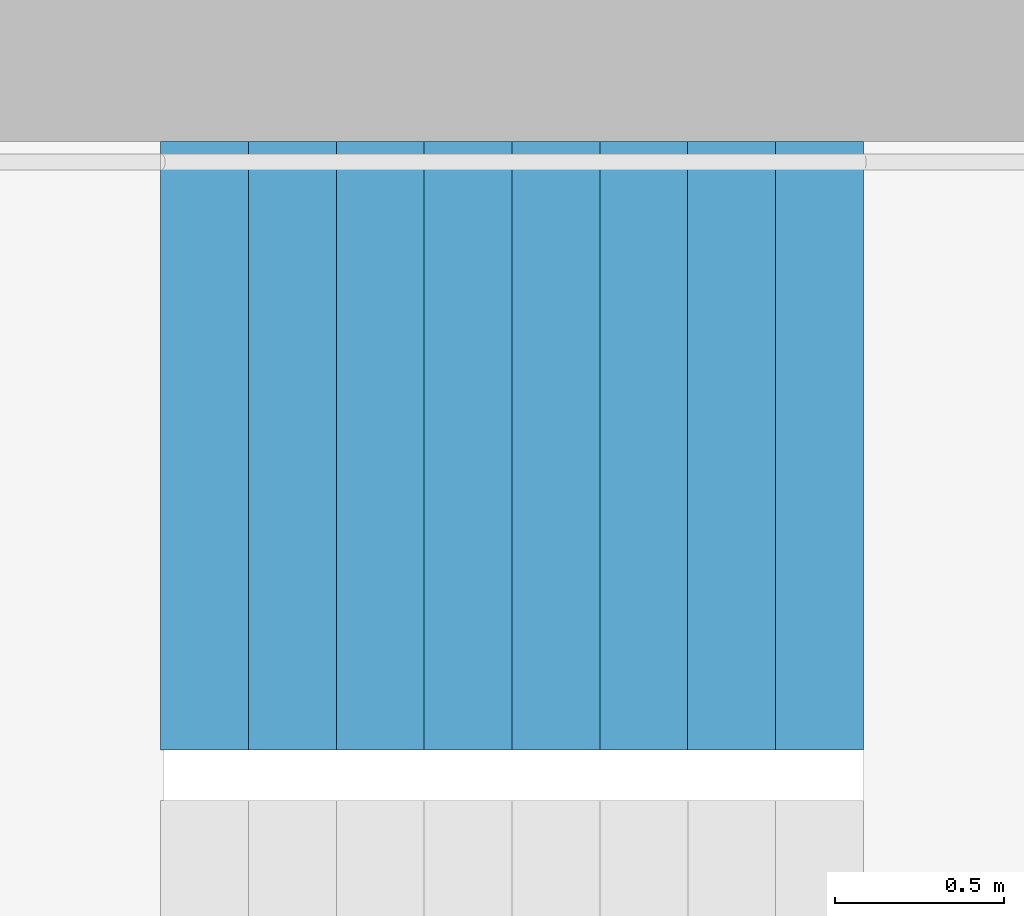
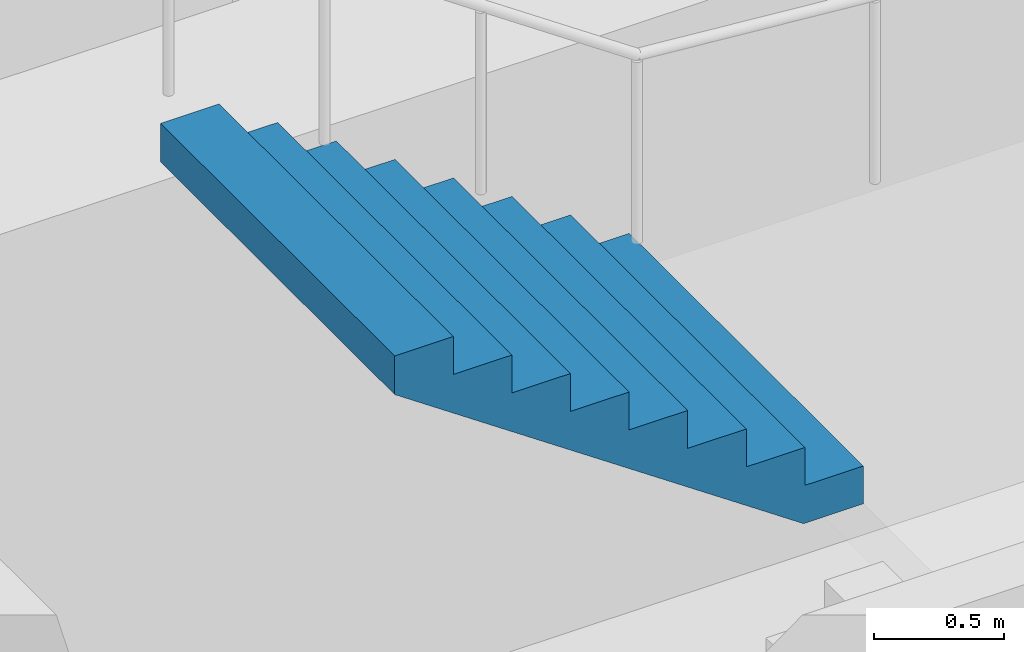
# One storey, part 21 of 26: 1 stair flight, 1 element without a shape of its own.
"""IFC4 building model written with IfcOpenShell, lengths in metres."""

from ifc_helpers import new_model, si_unit, direction, frame, origin, place, context, subcontext, project, spatial, triangles, material, type_object, element, aggregate, save


model = new_model("IFC4")

# Units and contexts
model_context = context("Model", 3, precision=1e-05, world=origin(), true_north=direction((0.0, 1.0)))
body_context = subcontext(model_context, "Body", "Model", "MODEL_VIEW")
ifc_project = project(units=[si_unit("LENGTHUNIT", "METRE"), si_unit("AREAUNIT", "SQUARE_METRE"), si_unit("VOLUMEUNIT", "CUBIC_METRE"), si_unit("PLANEANGLEUNIT", "RADIAN"), si_unit("MASSUNIT", "GRAM", prefix="KILO")], contexts=[model_context])

# Site, building, storey
site_placement = place(None, origin())
site = spatial("IfcSite", under=ifc_project, at=site_placement, CompositionType="ELEMENT")
building_placement = place(site_placement, origin())
building = spatial("IfcBuilding", under=site, at=building_placement, Name="Hakoniwa Tower and Hamabe Station Hall", CompositionType="ELEMENT")
storey_placement = place(building_placement, frame((0.0, 0.0, 153.39990234375)))
storey = spatial("IfcBuildingStorey", under=building, at=storey_placement, Name="L43", CompositionType="ELEMENT", Elevation=153.39990234375)

# Stair, stair flight
ifc_material_1 = material(Name="Concrete C40", Category="concrete")
stair_type = type_object("IfcStairType", Name="ESCAPE STAIR 1800", PredefinedType="HALF_TURN_STAIR", material=ifc_material_1)
stair_placement = place(storey_placement, origin())
stair = element("IfcStair", 1, at=stair_placement, inside=storey, type_object=stair_type, Name="Escape stair ST-1 L43", PredefinedType="HALF_TURN_STAIR")
ifc_material_2 = material(Name="Concrete C40", Category="concrete")
stair_flight_type = type_object("IfcStairFlightType", Name="STAIR FLIGHT 1800", PredefinedType="STRAIGHT", material=ifc_material_2)
stair_flight_placement = place(storey_placement, frame((-22.320068359375, 6.60009765625, 1.60009765625), z_axis=(0.0, 0.0, 1.0), x_axis=(-1.0, 0.0, 0.0)))
stair_flight = element("IfcStairFlight", 2, at=stair_flight_placement, type_object=stair_flight_type, Name="ST-1 flight 2", NumberOfRisers=9, NumberOfTreads=8, PredefinedType="STRAIGHT", RiserHeight=0.177777778, TreadLength=0.26, context=body_context, shape_type="Tessellation", body=[
    triangles([(0.0, 0.89990234375, 0.0), (0.260009765625, 0.89990234375, 0.0), (0.265625, 0.89990234375, 0.0), (0.52001953125, 0.89990234375, 0.174072265625), (0.780029296875, 0.89990234375, 0.351806640625), (1.0400390625, 0.89990234375, 0.529541015625), (1.300048828125, 0.89990234375, 0.707275390625), (1.56005859375, 0.89990234375, 0.885009765625), (1.820068359375, 0.89990234375, 1.062744140625), (2.080078125, 0.89990234375, 1.24072265625), (2.080078125, 0.89990234375, 1.422119140625), (1.820068359375, 0.89990234375, 1.422119140625), (1.820068359375, 0.89990234375, 1.244384765625), (1.56005859375, 0.89990234375, 1.244384765625), (1.56005859375, 0.89990234375, 1.066650390625), (1.300048828125, 0.89990234375, 1.066650390625), (1.300048828125, 0.89990234375, 0.888916015625), (1.0400390625, 0.89990234375, 0.888916015625), (1.0400390625, 0.89990234375, 0.711181640625), (0.780029296875, 0.89990234375, 0.711181640625), (0.780029296875, 0.89990234375, 0.533447265625), (0.52001953125, 0.89990234375, 0.533447265625), (0.52001953125, 0.89990234375, 0.35546875), (0.265625, 0.89990234375, 0.35546875), (0.260009765625, 0.89990234375, 0.35546875), (0.260009765625, 0.89990234375, 0.177734375), (0.0, 0.89990234375, 0.177734375), (0.0, 0.06005859375, 0.0), (0.260009765625, 0.06005859375, 0.0), (0.265625, 0.06005859375, 0.0), (0.52001953125, 0.06005859375, 0.174072265625), (0.780029296875, 0.06005859375, 0.351806640625), (1.0400390625, 0.06005859375, 0.529541015625), (1.300048828125, 0.06005859375, 0.707275390625), (1.56005859375, 0.06005859375, 0.885009765625), (1.820068359375, 0.06005859375, 1.062744140625), (2.080078125, 0.06005859375, 1.24072265625), (2.080078125, 0.06005859375, 1.422119140625), (1.820068359375, 0.06005859375, 1.422119140625), (1.820068359375, 0.06005859375, 1.244384765625), (1.56005859375, 0.06005859375, 1.244384765625), (1.56005859375, 0.06005859375, 1.066650390625), (1.300048828125, 0.06005859375, 1.066650390625), (1.300048828125, 0.06005859375, 0.888916015625), (1.0400390625, 0.06005859375, 0.888916015625), (1.0400390625, 0.06005859375, 0.711181640625), (0.780029296875, 0.06005859375, 0.711181640625), (0.780029296875, 0.06005859375, 0.533447265625), (0.52001953125, 0.06005859375, 0.533447265625), (0.52001953125, 0.06005859375, 0.35546875), (0.265625, 0.06005859375, 0.35546875), (0.260009765625, 0.06005859375, 0.35546875), (0.260009765625, 0.06005859375, 0.177734375), (0.0, 0.06005859375, 0.177734375), (0.0, 0.04296875, 0.0), (0.260009765625, 0.04296875, 0.0), (0.265625, 0.04296875, 0.0), (0.52001953125, 0.04296875, 0.174072265625), (0.780029296875, 0.04296875, 0.351806640625), (1.0400390625, 0.04296875, 0.529541015625), (1.300048828125, 0.04296875, 0.707275390625), (1.56005859375, 0.04296875, 0.885009765625), (1.820068359375, 0.04296875, 1.062744140625), (2.080078125, 0.04296875, 1.24072265625), (2.080078125, 0.04296875, 1.422119140625), (1.820068359375, 0.04296875, 1.422119140625), (1.820068359375, 0.04296875, 1.244384765625), (1.56005859375, 0.04296875, 1.244384765625), (1.56005859375, 0.04296875, 1.066650390625), (1.300048828125, 0.04296875, 1.066650390625), (1.300048828125, 0.04296875, 0.888916015625), (1.0400390625, 0.04296875, 0.888916015625), (1.0400390625, 0.04296875, 0.711181640625), (0.780029296875, 0.04296875, 0.711181640625), (0.780029296875, 0.04296875, 0.533447265625), (0.52001953125, 0.04296875, 0.533447265625), (0.52001953125, 0.04296875, 0.35546875), (0.265625, 0.04296875, 0.35546875), (0.260009765625, 0.04296875, 0.35546875), (0.260009765625, 0.04296875, 0.177734375), (0.0, 0.04296875, 0.177734375), (0.0, 0.025634765625, 0.0), (0.260009765625, 0.025634765625, 0.0), (0.265625, 0.025634765625, 0.0), (0.52001953125, 0.025634765625, 0.174072265625), (0.780029296875, 0.025634765625, 0.351806640625), (1.0400390625, 0.025634765625, 0.529541015625), (1.300048828125, 0.025634765625, 0.707275390625), (1.56005859375, 0.025634765625, 0.885009765625), (1.820068359375, 0.025634765625, 1.062744140625), (2.080078125, 0.025634765625, 1.24072265625), (2.080078125, 0.025634765625, 1.422119140625), (1.820068359375, 0.025634765625, 1.422119140625), (1.820068359375, 0.025634765625, 1.244384765625), (1.56005859375, 0.025634765625, 1.244384765625), (1.56005859375, 0.025634765625, 1.066650390625), (1.300048828125, 0.025634765625, 1.066650390625), (1.300048828125, 0.025634765625, 0.888916015625), (1.0400390625, 0.025634765625, 0.888916015625), (1.0400390625, 0.025634765625, 0.711181640625), (0.780029296875, 0.025634765625, 0.711181640625), (0.780029296875, 0.025634765625, 0.533447265625), (0.52001953125, 0.025634765625, 0.533447265625), (0.52001953125, 0.025634765625, 0.35546875), (0.265625, 0.025634765625, 0.35546875), (0.260009765625, 0.025634765625, 0.35546875), (0.260009765625, 0.025634765625, 0.177734375), (0.0, 0.025634765625, 0.177734375), (0.0, 0.008544921875, 0.0), (0.260009765625, 0.008544921875, 0.0), (0.265625, 0.008544921875, 0.0), (0.52001953125, 0.008544921875, 0.174072265625), (0.780029296875, 0.008544921875, 0.351806640625), (1.0400390625, 0.008544921875, 0.529541015625), (1.300048828125, 0.008544921875, 0.707275390625), (1.56005859375, 0.008544921875, 0.885009765625), (1.820068359375, 0.008544921875, 1.062744140625), (2.080078125, 0.008544921875, 1.24072265625), (2.080078125, 0.008544921875, 1.422119140625), (1.820068359375, 0.008544921875, 1.422119140625), (1.820068359375, 0.008544921875, 1.244384765625), (1.56005859375, 0.008544921875, 1.244384765625), (1.56005859375, 0.008544921875, 1.066650390625), (1.300048828125, 0.008544921875, 1.066650390625), (1.300048828125, 0.008544921875, 0.888916015625), (1.0400390625, 0.008544921875, 0.888916015625), (1.0400390625, 0.008544921875, 0.711181640625), (0.780029296875, 0.008544921875, 0.711181640625), (0.780029296875, 0.008544921875, 0.533447265625), (0.52001953125, 0.008544921875, 0.533447265625), (0.52001953125, 0.008544921875, 0.35546875), (0.265625, 0.008544921875, 0.35546875), (0.260009765625, 0.008544921875, 0.35546875), (0.260009765625, 0.008544921875, 0.177734375), (0.0, 0.008544921875, 0.177734375), (0.0, -0.008544921875, 0.0), (0.260009765625, -0.008544921875, 0.0), (0.265625, -0.008544921875, 0.0), (0.52001953125, -0.008544921875, 0.174072265625), (0.780029296875, -0.008544921875, 0.351806640625), (1.0400390625, -0.008544921875, 0.529541015625), (1.300048828125, -0.008544921875, 0.707275390625), (1.56005859375, -0.008544921875, 0.885009765625), (1.820068359375, -0.008544921875, 1.062744140625), (2.080078125, -0.008544921875, 1.24072265625), (2.080078125, -0.008544921875, 1.422119140625), (1.820068359375, -0.008544921875, 1.422119140625), (1.820068359375, -0.008544921875, 1.244384765625), (1.56005859375, -0.008544921875, 1.244384765625), (1.56005859375, -0.008544921875, 1.066650390625), (1.300048828125, -0.008544921875, 1.066650390625), (1.300048828125, -0.008544921875, 0.888916015625), (1.0400390625, -0.008544921875, 0.888916015625), (1.0400390625, -0.008544921875, 0.711181640625), (0.780029296875, -0.008544921875, 0.711181640625), (0.780029296875, -0.008544921875, 0.533447265625), (0.52001953125, -0.008544921875, 0.533447265625), (0.52001953125, -0.008544921875, 0.35546875), (0.265625, -0.008544921875, 0.35546875), (0.260009765625, -0.008544921875, 0.35546875), (0.260009765625, -0.008544921875, 0.177734375), (0.0, -0.008544921875, 0.177734375), (0.0, -0.025634765625, 0.0), (0.260009765625, -0.025634765625, 0.0), (0.265625, -0.025634765625, 0.0), (0.52001953125, -0.025634765625, 0.174072265625), (0.780029296875, -0.025634765625, 0.351806640625), (1.0400390625, -0.025634765625, 0.529541015625), (1.300048828125, -0.025634765625, 0.707275390625), (1.56005859375, -0.025634765625, 0.885009765625), (1.820068359375, -0.025634765625, 1.062744140625), (2.080078125, -0.025634765625, 1.24072265625), (2.080078125, -0.025634765625, 1.422119140625), (1.820068359375, -0.025634765625, 1.422119140625), (1.820068359375, -0.025634765625, 1.244384765625), (1.56005859375, -0.025634765625, 1.244384765625), (1.56005859375, -0.025634765625, 1.066650390625), (1.300048828125, -0.025634765625, 1.066650390625), (1.300048828125, -0.025634765625, 0.888916015625), (1.0400390625, -0.025634765625, 0.888916015625), (1.0400390625, -0.025634765625, 0.711181640625), (0.780029296875, -0.025634765625, 0.711181640625), (0.780029296875, -0.025634765625, 0.533447265625), (0.52001953125, -0.025634765625, 0.533447265625), (0.52001953125, -0.025634765625, 0.35546875), (0.265625, -0.025634765625, 0.35546875), (0.260009765625, -0.025634765625, 0.35546875), (0.260009765625, -0.025634765625, 0.177734375), (0.0, -0.025634765625, 0.177734375), (0.0, -0.04296875, 0.0), (0.260009765625, -0.04296875, 0.0), (0.265625, -0.04296875, 0.0), (0.52001953125, -0.04296875, 0.174072265625), (0.780029296875, -0.04296875, 0.351806640625), (1.0400390625, -0.04296875, 0.529541015625), (1.300048828125, -0.04296875, 0.707275390625), (1.56005859375, -0.04296875, 0.885009765625), (1.820068359375, -0.04296875, 1.062744140625), (2.080078125, -0.04296875, 1.24072265625), (2.080078125, -0.04296875, 1.422119140625), (1.820068359375, -0.04296875, 1.422119140625), (1.820068359375, -0.04296875, 1.244384765625), (1.56005859375, -0.04296875, 1.244384765625), (1.56005859375, -0.04296875, 1.066650390625), (1.300048828125, -0.04296875, 1.066650390625), (1.300048828125, -0.04296875, 0.888916015625), (1.0400390625, -0.04296875, 0.888916015625), (1.0400390625, -0.04296875, 0.711181640625), (0.780029296875, -0.04296875, 0.711181640625), (0.780029296875, -0.04296875, 0.533447265625), (0.52001953125, -0.04296875, 0.533447265625), (0.52001953125, -0.04296875, 0.35546875), (0.265625, -0.04296875, 0.35546875), (0.260009765625, -0.04296875, 0.35546875), (0.260009765625, -0.04296875, 0.177734375), (0.0, -0.04296875, 0.177734375), (0.0, -0.06005859375, 0.0), (0.260009765625, -0.06005859375, 0.0), (0.265625, -0.06005859375, 0.0), (0.52001953125, -0.06005859375, 0.174072265625), (0.780029296875, -0.06005859375, 0.351806640625), (1.0400390625, -0.06005859375, 0.529541015625), (1.300048828125, -0.06005859375, 0.707275390625), (1.56005859375, -0.06005859375, 0.885009765625), (1.820068359375, -0.06005859375, 1.062744140625), (2.080078125, -0.06005859375, 1.24072265625), (2.080078125, -0.06005859375, 1.422119140625), (1.820068359375, -0.06005859375, 1.422119140625), (1.820068359375, -0.06005859375, 1.244384765625), (1.56005859375, -0.06005859375, 1.244384765625), (1.56005859375, -0.06005859375, 1.066650390625), (1.300048828125, -0.06005859375, 1.066650390625), (1.300048828125, -0.06005859375, 0.888916015625), (1.0400390625, -0.06005859375, 0.888916015625), (1.0400390625, -0.06005859375, 0.711181640625), (0.780029296875, -0.06005859375, 0.711181640625), (0.780029296875, -0.06005859375, 0.533447265625), (0.52001953125, -0.06005859375, 0.533447265625), (0.52001953125, -0.06005859375, 0.35546875), (0.265625, -0.06005859375, 0.35546875), (0.260009765625, -0.06005859375, 0.35546875), (0.260009765625, -0.06005859375, 0.177734375), (0.0, -0.06005859375, 0.177734375), (0.0, -0.89990234375, 0.0), (0.260009765625, -0.89990234375, 0.0), (0.265625, -0.89990234375, 0.0), (0.52001953125, -0.89990234375, 0.174072265625), (0.780029296875, -0.89990234375, 0.351806640625), (1.0400390625, -0.89990234375, 0.529541015625), (1.300048828125, -0.89990234375, 0.707275390625), (1.56005859375, -0.89990234375, 0.885009765625), (1.820068359375, -0.89990234375, 1.062744140625), (2.080078125, -0.89990234375, 1.24072265625), (2.080078125, -0.89990234375, 1.422119140625), (1.820068359375, -0.89990234375, 1.422119140625), (1.820068359375, -0.89990234375, 1.244384765625), (1.56005859375, -0.89990234375, 1.244384765625), (1.56005859375, -0.89990234375, 1.066650390625), (1.300048828125, -0.89990234375, 1.066650390625), (1.300048828125, -0.89990234375, 0.888916015625), (1.0400390625, -0.89990234375, 0.888916015625), (1.0400390625, -0.89990234375, 0.711181640625), (0.780029296875, -0.89990234375, 0.711181640625), (0.780029296875, -0.89990234375, 0.533447265625), (0.52001953125, -0.89990234375, 0.533447265625), (0.52001953125, -0.89990234375, 0.35546875), (0.265625, -0.89990234375, 0.35546875), (0.260009765625, -0.89990234375, 0.35546875), (0.260009765625, -0.89990234375, 0.177734375), (0.0, -0.89990234375, 0.177734375)], [[2, 27, 26], [245, 269, 270], [2, 1, 27], [245, 270, 244], [3, 25, 24], [246, 267, 268], [3, 26, 25], [246, 268, 269], [3, 2, 26], [246, 269, 245], [4, 24, 23], [247, 266, 267], [4, 3, 24], [247, 267, 246], [5, 22, 21], [248, 264, 265], [5, 23, 22], [248, 265, 266], [5, 4, 23], [248, 266, 247], [6, 20, 19], [249, 262, 263], [6, 21, 20], [249, 263, 264], [6, 5, 21], [249, 264, 248], [7, 18, 17], [250, 260, 261], [7, 19, 18], [250, 261, 262], [7, 6, 19], [250, 262, 249], [8, 16, 15], [251, 258, 259], [8, 17, 16], [251, 259, 260], [8, 7, 17], [251, 260, 250], [9, 14, 13], [252, 256, 257], [9, 15, 14], [252, 257, 258], [9, 8, 15], [252, 258, 251], [10, 12, 11], [253, 254, 255], [10, 13, 12], [253, 255, 256], [10, 9, 13], [253, 256, 252], [1, 2, 29], [1, 29, 28], [28, 29, 56], [28, 56, 55], [55, 56, 83], [55, 83, 82], [82, 83, 110], [82, 110, 109], [109, 110, 137], [109, 137, 136], [136, 137, 164], [136, 164, 163], [163, 164, 191], [163, 191, 190], [190, 191, 218], [190, 218, 217], [217, 218, 245], [217, 245, 244], [2, 3, 30], [2, 30, 29], [29, 30, 57], [29, 57, 56], [56, 57, 84], [56, 84, 83], [83, 84, 111], [83, 111, 110], [110, 111, 138], [110, 138, 137], [137, 138, 165], [137, 165, 164], [164, 165, 192], [164, 192, 191], [191, 192, 219], [191, 219, 218], [218, 219, 246], [218, 246, 245], [3, 4, 31], [3, 31, 30], [30, 31, 58], [30, 58, 57], [57, 58, 85], [57, 85, 84], [84, 85, 112], [84, 112, 111], [111, 112, 139], [111, 139, 138], [138, 139, 166], [138, 166, 165], [165, 166, 193], [165, 193, 192], [192, 193, 220], [192, 220, 219], [219, 220, 247], [219, 247, 246], [4, 5, 32], [4, 32, 31], [31, 32, 59], [31, 59, 58], [58, 59, 86], [58, 86, 85], [85, 86, 113], [85, 113, 112], [112, 113, 140], [112, 140, 139], [139, 140, 167], [139, 167, 166], [166, 167, 194], [166, 194, 193], [193, 194, 221], [193, 221, 220], [220, 221, 248], [220, 248, 247], [5, 6, 33], [5, 33, 32], [32, 33, 60], [32, 60, 59], [59, 60, 87], [59, 87, 86], [86, 87, 114], [86, 114, 113], [113, 114, 141], [113, 141, 140], [140, 141, 168], [140, 168, 167], [167, 168, 195], [167, 195, 194], [194, 195, 222], [194, 222, 221], [221, 222, 249], [221, 249, 248], [6, 7, 34], [6, 34, 33], [33, 34, 61], [33, 61, 60], [60, 61, 88], [60, 88, 87], [87, 88, 115], [87, 115, 114], [114, 115, 142], [114, 142, 141], [141, 142, 169], [141, 169, 168], [168, 169, 196], [168, 196, 195], [195, 196, 223], [195, 223, 222], [222, 223, 250], [222, 250, 249], [7, 8, 35], [7, 35, 34], [34, 35, 62], [34, 62, 61], [61, 62, 89], [61, 89, 88], [88, 89, 116], [88, 116, 115], [115, 116, 143], [115, 143, 142], [142, 143, 170], [142, 170, 169], [169, 170, 197], [169, 197, 196], [196, 197, 224], [196, 224, 223], [223, 224, 251], [223, 251, 250], [8, 9, 36], [8, 36, 35], [35, 36, 63], [35, 63, 62], [62, 63, 90], [62, 90, 89], [89, 90, 117], [89, 117, 116], [116, 117, 144], [116, 144, 143], [143, 144, 171], [143, 171, 170], [170, 171, 198], [170, 198, 197], [197, 198, 225], [197, 225, 224], [224, 225, 252], [224, 252, 251], [9, 10, 37], [9, 37, 36], [36, 37, 64], [36, 64, 63], [63, 64, 91], [63, 91, 90], [90, 91, 118], [90, 118, 117], [117, 118, 145], [117, 145, 144], [144, 145, 172], [144, 172, 171], [171, 172, 199], [171, 199, 198], [198, 199, 226], [198, 226, 225], [225, 226, 253], [225, 253, 252], [10, 11, 38], [10, 38, 37], [37, 38, 65], [37, 65, 64], [64, 65, 92], [64, 92, 91], [91, 92, 119], [91, 119, 118], [118, 119, 146], [118, 146, 145], [145, 146, 173], [145, 173, 172], [172, 173, 200], [172, 200, 199], [199, 200, 227], [199, 227, 226], [226, 227, 254], [226, 254, 253], [11, 12, 39], [11, 39, 38], [38, 39, 66], [38, 66, 65], [65, 66, 93], [65, 93, 92], [92, 93, 120], [92, 120, 119], [119, 120, 147], [119, 147, 146], [146, 147, 174], [146, 174, 173], [173, 174, 201], [173, 201, 200], [200, 201, 228], [200, 228, 227], [227, 228, 255], [227, 255, 254], [12, 13, 40], [12, 40, 39], [39, 40, 67], [39, 67, 66], [66, 67, 94], [66, 94, 93], [93, 94, 121], [93, 121, 120], [120, 121, 148], [120, 148, 147], [147, 148, 175], [147, 175, 174], [174, 175, 202], [174, 202, 201], [201, 202, 229], [201, 229, 228], [228, 229, 256], [228, 256, 255], [13, 14, 41], [13, 41, 40], [40, 41, 68], [40, 68, 67], [67, 68, 95], [67, 95, 94], [94, 95, 122], [94, 122, 121], [121, 122, 149], [121, 149, 148], [148, 149, 176], [148, 176, 175], [175, 176, 203], [175, 203, 202], [202, 203, 230], [202, 230, 229], [229, 230, 257], [229, 257, 256], [14, 15, 42], [14, 42, 41], [41, 42, 69], [41, 69, 68], [68, 69, 96], [68, 96, 95], [95, 96, 123], [95, 123, 122], [122, 123, 150], [122, 150, 149], [149, 150, 177], [149, 177, 176], [176, 177, 204], [176, 204, 203], [203, 204, 231], [203, 231, 230], [230, 231, 258], [230, 258, 257], [15, 16, 43], [15, 43, 42], [42, 43, 70], [42, 70, 69], [69, 70, 97], [69, 97, 96], [96, 97, 124], [96, 124, 123], [123, 124, 151], [123, 151, 150], [150, 151, 178], [150, 178, 177], [177, 178, 205], [177, 205, 204], [204, 205, 232], [204, 232, 231], [231, 232, 259], [231, 259, 258], [16, 17, 44], [16, 44, 43], [43, 44, 71], [43, 71, 70], [70, 71, 98], [70, 98, 97], [97, 98, 125], [97, 125, 124], [124, 125, 152], [124, 152, 151], [151, 152, 179], [151, 179, 178], [178, 179, 206], [178, 206, 205], [205, 206, 233], [205, 233, 232], [232, 233, 260], [232, 260, 259], [17, 18, 45], [17, 45, 44], [44, 45, 72], [44, 72, 71], [71, 72, 99], [71, 99, 98], [98, 99, 126], [98, 126, 125], [125, 126, 153], [125, 153, 152], [152, 153, 180], [152, 180, 179], [179, 180, 207], [179, 207, 206], [206, 207, 234], [206, 234, 233], [233, 234, 261], [233, 261, 260], [18, 19, 46], [18, 46, 45], [45, 46, 73], [45, 73, 72], [72, 73, 100], [72, 100, 99], [99, 100, 127], [99, 127, 126], [126, 127, 154], [126, 154, 153], [153, 154, 181], [153, 181, 180], [180, 181, 208], [180, 208, 207], [207, 208, 235], [207, 235, 234], [234, 235, 262], [234, 262, 261], [19, 20, 47], [19, 47, 46], [46, 47, 74], [46, 74, 73], [73, 74, 101], [73, 101, 100], [100, 101, 128], [100, 128, 127], [127, 128, 155], [127, 155, 154], [154, 155, 182], [154, 182, 181], [181, 182, 209], [181, 209, 208], [208, 209, 236], [208, 236, 235], [235, 236, 263], [235, 263, 262], [20, 21, 48], [20, 48, 47], [47, 48, 75], [47, 75, 74], [74, 75, 102], [74, 102, 101], [101, 102, 129], [101, 129, 128], [128, 129, 156], [128, 156, 155], [155, 156, 183], [155, 183, 182], [182, 183, 210], [182, 210, 209], [209, 210, 237], [209, 237, 236], [236, 237, 264], [236, 264, 263], [21, 22, 49], [21, 49, 48], [48, 49, 76], [48, 76, 75], [75, 76, 103], [75, 103, 102], [102, 103, 130], [102, 130, 129], [129, 130, 157], [129, 157, 156], [156, 157, 184], [156, 184, 183], [183, 184, 211], [183, 211, 210], [210, 211, 238], [210, 238, 237], [237, 238, 265], [237, 265, 264], [22, 23, 50], [22, 50, 49], [49, 50, 77], [49, 77, 76], [76, 77, 104], [76, 104, 103], [103, 104, 131], [103, 131, 130], [130, 131, 158], [130, 158, 157], [157, 158, 185], [157, 185, 184], [184, 185, 212], [184, 212, 211], [211, 212, 239], [211, 239, 238], [238, 239, 266], [238, 266, 265], [23, 24, 51], [23, 51, 50], [50, 51, 78], [50, 78, 77], [77, 78, 105], [77, 105, 104], [104, 105, 132], [104, 132, 131], [131, 132, 159], [131, 159, 158], [158, 159, 186], [158, 186, 185], [185, 186, 213], [185, 213, 212], [212, 213, 240], [212, 240, 239], [239, 240, 267], [239, 267, 266], [24, 25, 52], [24, 52, 51], [51, 52, 79], [51, 79, 78], [78, 79, 106], [78, 106, 105], [105, 106, 133], [105, 133, 132], [132, 133, 160], [132, 160, 159], [159, 160, 187], [159, 187, 186], [186, 187, 214], [186, 214, 213], [213, 214, 241], [213, 241, 240], [240, 241, 268], [240, 268, 267], [25, 26, 53], [25, 53, 52], [52, 53, 80], [52, 80, 79], [79, 80, 107], [79, 107, 106], [106, 107, 134], [106, 134, 133], [133, 134, 161], [133, 161, 160], [160, 161, 188], [160, 188, 187], [187, 188, 215], [187, 215, 214], [214, 215, 242], [214, 242, 241], [241, 242, 269], [241, 269, 268], [26, 27, 54], [26, 54, 53], [53, 54, 81], [53, 81, 80], [80, 81, 108], [80, 108, 107], [107, 108, 135], [107, 135, 134], [134, 135, 162], [134, 162, 161], [161, 162, 189], [161, 189, 188], [188, 189, 216], [188, 216, 215], [215, 216, 243], [215, 243, 242], [242, 243, 270], [242, 270, 269], [27, 1, 28], [27, 28, 54], [54, 28, 55], [54, 55, 81], [81, 55, 82], [81, 82, 108], [108, 82, 109], [108, 109, 135], [135, 109, 136], [135, 136, 162], [162, 136, 163], [162, 163, 189], [189, 163, 190], [189, 190, 216], [216, 190, 217], [216, 217, 243], [243, 217, 244], [243, 244, 270]], closed=True),
])
aggregate(stair, [stair_flight])

save(model, "model.ifc")
